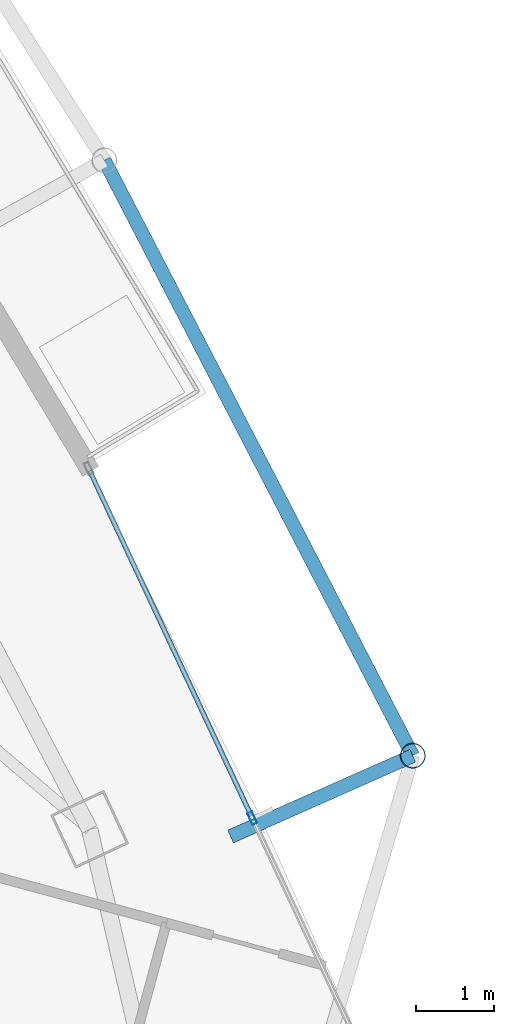
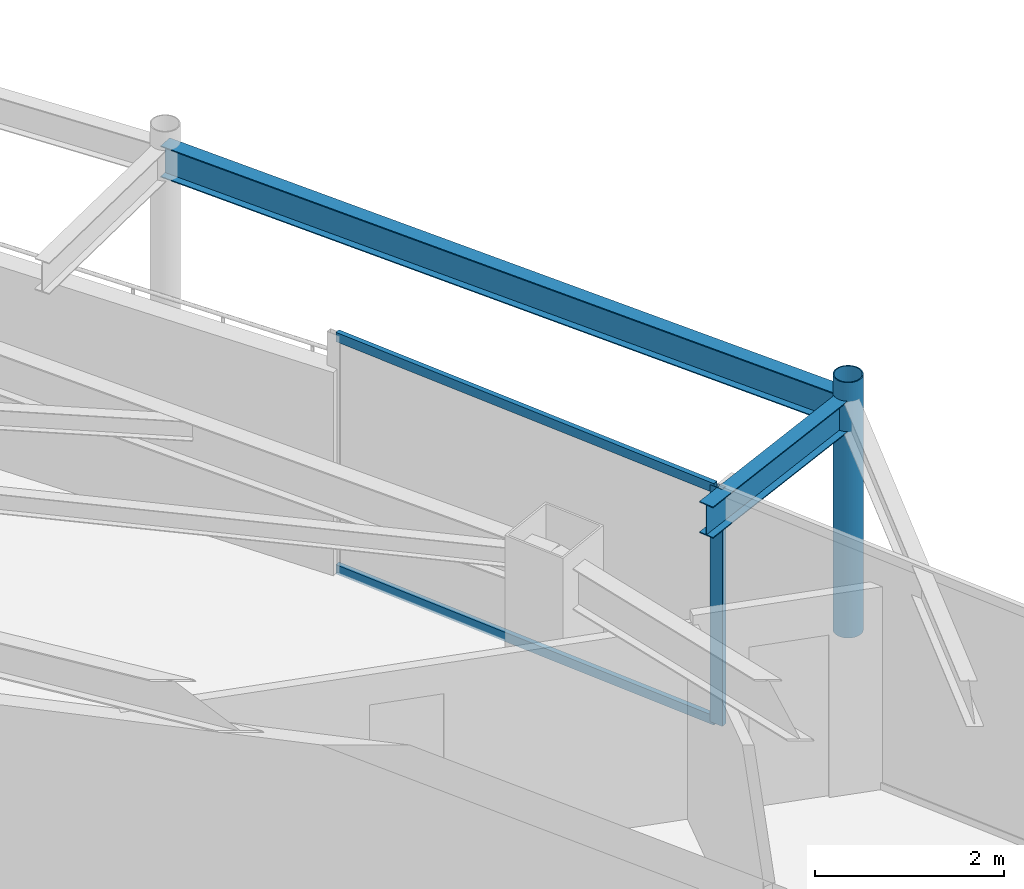
# One storey, part 19 of 30: 4 members, 2 beams, 1 element without a shape of its own.
"""IFC4 building model written with IfcOpenShell, lengths in metres."""

from ifc_helpers import new_model, si_unit, direction, frame, origin, origin_2d, place, context, subcontext, project, spatial, hollow_rectangle, hollow_circle, i_section, extrude, material, layer, layer_set, material_profile, profile_set, type_object, element, aggregate, save


model = new_model("IFC4")

# Units and contexts
model_context = context("Model", 3, precision=1e-05, world=origin(), true_north=direction((0.0, 1.0)))
body_context = subcontext(model_context, "Body", "Model", "MODEL_VIEW")
ifc_project = project(units=[si_unit("LENGTHUNIT", "METRE"), si_unit("AREAUNIT", "SQUARE_METRE"), si_unit("VOLUMEUNIT", "CUBIC_METRE"), si_unit("PLANEANGLEUNIT", "RADIAN"), si_unit("MASSUNIT", "GRAM", prefix="KILO")], contexts=[model_context])

# Site, building, storey
site_placement = place(None, origin())
site = spatial("IfcSite", under=ifc_project, at=site_placement, CompositionType="ELEMENT")
building_placement = place(site_placement, origin())
building = spatial("IfcBuilding", under=site, at=building_placement, Name="Orvanel Arch Residences", CompositionType="ELEMENT")
storey_placement = place(building_placement, frame((0.0, 0.0, 229.39990234375)))
storey = spatial("IfcBuildingStorey", under=building, at=storey_placement, Name="L65", CompositionType="ELEMENT", Elevation=229.39990234375)

# Curtain wall, member
ifc_material_1 = material(Name="Bronze-anodised aluminium AA6063-T6", Category="aluminium")
ifc_layer = layer(ifc_material_1, 0.175048828125)
ifc_layer_set = layer_set([ifc_layer], Name="Bronze-anodised aluminium AA6063-T6")
curtain_wall_type = type_object("IfcCurtainWallType", Name="CW4-HI-SYS", PredefinedType="NOTDEFINED", material=ifc_layer_set)
curtain_wall_placement = place(storey_placement, origin())
curtain_wall = element("IfcCurtainWall", 1, at=curtain_wall_placement, inside=storey, type_object=curtain_wall_type, Name="L65 CW4-HI-SYS Unitised Curtain Wall", PredefinedType="NOTDEFINED")
ifc_material_profile_1 = material_profile(ifc_material_1, hollow_rectangle(XDim=0.06494140625, YDim=0.159912109375, WallThickness=0.00390625, at=origin_2d()), Name="ALU160x65x4")
ifc_profile_set_1 = profile_set([ifc_material_profile_1], Name="Bronze-anodised aluminium AA6063-T6")
member_type_1 = type_object("IfcMemberType", Name="MUL-160x65", PredefinedType="MULLION", material=ifc_profile_set_1)
member_1_placement = place(storey_placement, frame((51.715087890625, 19.783935546875, 0.0), z_axis=(0.0, 0.0, 1.0), x_axis=(-0.905705004304, -0.423908533978, 0.0)))
member_1 = element("IfcMember", 2, at=member_1_placement, type_object=member_type_1, Name="CW-S4 mullion 2", PredefinedType="MULLION", context=body_context, shape_type="SweptSolid", body=[
    extrude(hollow_rectangle(XDim=0.06494140625, YDim=0.159912109375, WallThickness=0.00390625, at=origin_2d()), origin(), (0.0, 0.0, 1.0), 3.06005859375),
])

# Beams
ifc_material_2 = material(Name="Structural steel AS/NZS 3679.1 Grade 300 (300 MPa)", Category="steel")
ifc_material_profile_2 = material_profile(ifc_material_2, i_section(OverallWidth=0.177978515625, OverallDepth=0.406005859375, WebThickness=0.0078125, FlangeThickness=0.0126953125, at=origin_2d()), Name="410UB59.7")
ifc_profile_set_2 = profile_set([ifc_material_profile_2], Name="Structural steel AS/NZS 3679.1 Grade 300 (300 MPa)")
beam_type = type_object("IfcBeamType", Name="OB-410UB-EXT", PredefinedType="SPANDREL", material=ifc_profile_set_2)
beam_1_placement = place(storey_placement, frame((51.43701171875, 19.550048828125, 2.857177734375), z_axis=(0.914115288408, 0.405454361794, 0.0), x_axis=(-0.405454361794, 0.914115288408, 0.0)))
element("IfcBeam", 3, at=beam_1_placement, inside=storey, type_object=beam_type, Name="L65 Outer Frame Radial Tie Beam 09", PredefinedType="SPANDREL", context=body_context, shape_type="SweptSolid", body=[
    extrude(i_section(OverallWidth=0.177978515625, OverallDepth=0.406005859375, WebThickness=0.0078125, FlangeThickness=0.0126953125, at=origin_2d()), origin(), (0.0, 0.0, 1.0), 2.550048828125),
])
beam_2_placement = place(storey_placement, frame((53.76806640625, 20.583984375, 2.857177734375), z_axis=(-0.459994065617, 0.88792198959, 0.0), x_axis=(-0.88792198959, -0.459994065617, 0.0)))
element("IfcBeam", 4, at=beam_2_placement, inside=storey, type_object=beam_type, Name="L65 Outer Perimeter Floor Ring Beam 09", PredefinedType="SPANDREL", context=body_context, shape_type="SweptSolid", body=[
    extrude(i_section(OverallWidth=0.177978515625, OverallDepth=0.406005859375, WebThickness=0.0078125, FlangeThickness=0.0126953125, at=origin_2d()), origin(), (0.0, 0.0, 1.0), 8.58056640625),
])

# Member
ifc_material_3 = material(Name="Structural steel AS/NZS 1163 C350L0 (Grade 350)", Category="steel")
ifc_material_profile_3 = material_profile(ifc_material_3, hollow_circle(Radius=0.162109375, WallThickness=0.0126953125, at=origin_2d()), Name="CHS324x12.7")
ifc_profile_set_3 = profile_set([ifc_material_profile_3], Name="Structural steel AS/NZS 1163 C350L0 (Grade 350)")
member_type_2 = type_object("IfcMemberType", Name="ST-324CHS-EXT", PredefinedType="STRUT", material=ifc_profile_set_3)
member_2_placement = place(storey_placement, frame((53.76806640625, 20.583984375, 0.0), z_axis=(0.0, 0.0, 1.0), x_axis=(1.0, 0.0, 0.0)))
element("IfcMember", 5, at=member_2_placement, inside=storey, type_object=member_type_2, Name="L65 Outer Perimeter Frame Post 09", PredefinedType="STRUT", context=body_context, shape_type="SweptSolid", body=[
    extrude(hollow_circle(Radius=0.162109375, WallThickness=0.0126953125, at=origin_2d()), origin(), (0.0, 0.0, 1.0), 3.300048828125),
])

ifc_material_profile_4 = material_profile(ifc_material_1, hollow_rectangle(XDim=0.06005859375, YDim=0.1201171875, WallThickness=0.00341796875, at=origin_2d()), Name="ALU120x60x3.5")
ifc_profile_set_4 = profile_set([ifc_material_profile_4], Name="Bronze-anodised aluminium AA6063-T6")
member_type_3 = type_object("IfcMemberType", Name="TRN-120x60", PredefinedType="USERDEFINED", material=ifc_profile_set_4)
member_3_placement = place(storey_placement, frame((51.701171875, 19.8134765625, 0.030029296875), z_axis=(-0.423899048381, 0.905709443907, 0.0), x_axis=(-0.905709443907, -0.423899048381, 0.0)))
member_3 = element("IfcMember", 6, at=member_3_placement, type_object=member_type_3, Name="CW-S4 transom 2.1", ObjectType="TRANSOM", PredefinedType="USERDEFINED", context=body_context, shape_type="SweptSolid", body=[
    extrude(hollow_rectangle(XDim=0.06005859375, YDim=0.1201171875, WallThickness=0.00341796875, at=origin_2d()), origin(), (0.0, 0.0, 1.0), 4.877685546875),
])

member_4_placement = place(storey_placement, frame((51.701171875, 19.8134765625, 3.030029296875), z_axis=(-0.423899048381, 0.905709443907, 0.0), x_axis=(-0.905709443907, -0.423899048381, 0.0)))
member_4 = element("IfcMember", 7, at=member_4_placement, type_object=member_type_3, Name="CW-S4 transom 2.2", ObjectType="TRANSOM", PredefinedType="USERDEFINED", context=body_context, shape_type="SweptSolid", body=[
    extrude(hollow_rectangle(XDim=0.06005859375, YDim=0.1201171875, WallThickness=0.00341796875, at=origin_2d()), origin(), (0.0, 0.0, 1.0), 4.877685546875),
])

aggregate(curtain_wall, [member_1, member_3, member_4])

save(model, "model.ifc")
